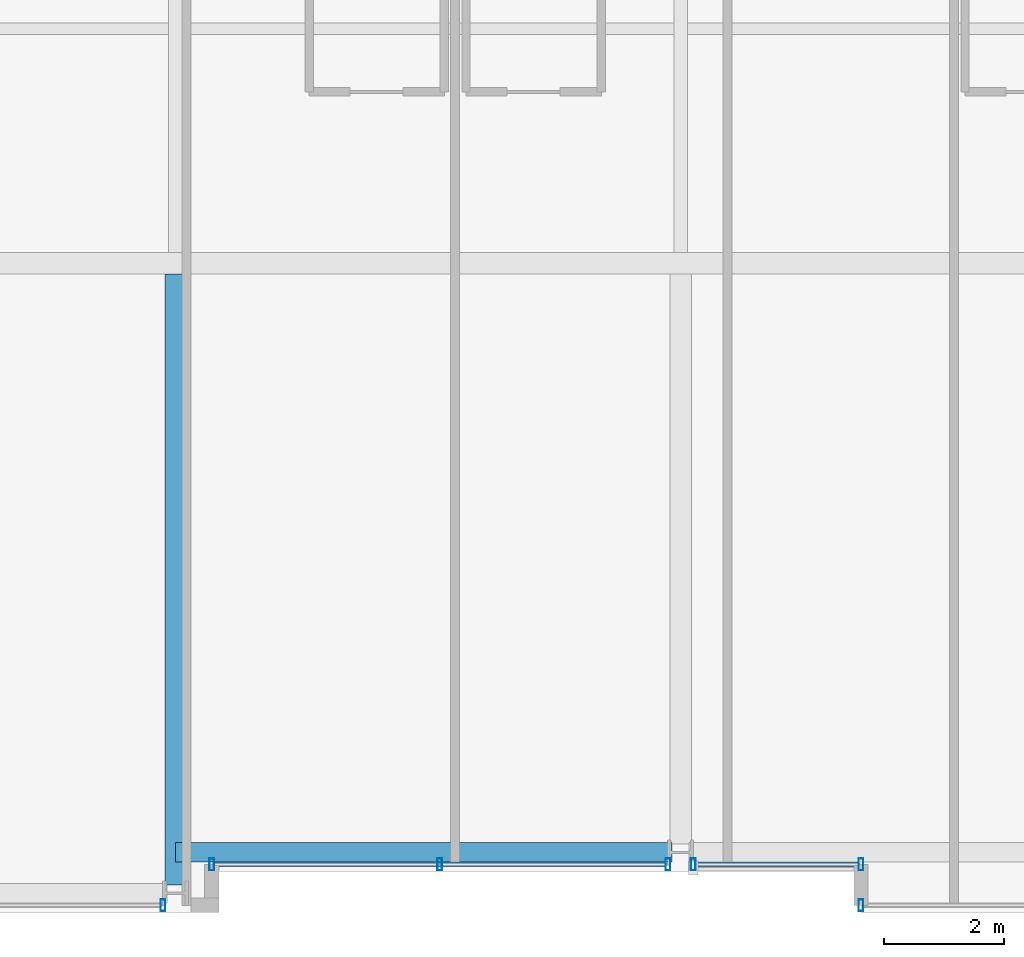
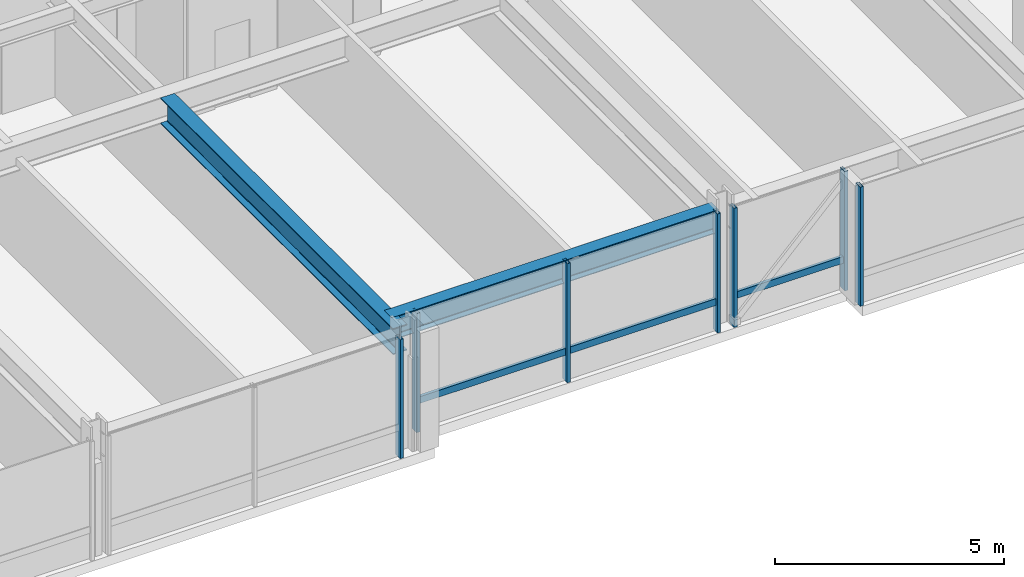
# One storey, part 5 of 35: 9 members, 2 beams, 4 elements without a shape of their own.
"""IFC4 building model written with IfcOpenShell, lengths in metres."""

from ifc_helpers import new_model, si_unit, direction, frame, origin, origin_2d, place, context, subcontext, project, spatial, hollow_rectangle, i_section, extrude, material, layer, layer_set, material_profile, profile_set, type_object, element, aggregate, save


model = new_model("IFC4")

# Units and contexts
model_context = context("Model", 3, precision=1e-05, world=origin(), true_north=direction((0.0, 1.0)))
body_context = subcontext(model_context, "Body", "Model", "MODEL_VIEW")
ifc_project = project(units=[si_unit("LENGTHUNIT", "METRE"), si_unit("AREAUNIT", "SQUARE_METRE"), si_unit("VOLUMEUNIT", "CUBIC_METRE"), si_unit("PLANEANGLEUNIT", "RADIAN"), si_unit("MASSUNIT", "GRAM", prefix="KILO")], contexts=[model_context])

# Site, building, storey
site_placement = place(None, origin())
site = spatial("IfcSite", under=ifc_project, at=site_placement, CompositionType="ELEMENT")
building_placement = place(site_placement, origin())
building = spatial("IfcBuilding", under=site, at=building_placement, Name="Drelvath Grand Hotel", CompositionType="ELEMENT")
storey_placement = place(building_placement, frame((0.0, 0.0, 137.300048828125)))
storey = spatial("IfcBuildingStorey", under=building, at=storey_placement, Name="L35", CompositionType="ELEMENT", Elevation=137.300048828125)

# Curtain wall, member
ifc_material_1 = material(Name="Champagne Bronze Anodised Aluminium Frame", Category="aluminium")
ifc_layer = layer(ifc_material_1, 0.199951171875)
ifc_layer_set = layer_set([ifc_layer], Name="Champagne Bronze Anodised Aluminium Frame")
curtain_wall_type = type_object("IfcCurtainWallType", Name="Stick Curtain Wall CW-03 Champagne Bronze Mid-Rise", PredefinedType="NOTDEFINED", material=ifc_layer_set)
curtain_wall_1_placement = place(storey_placement, origin())
curtain_wall_1 = element("IfcCurtainWall", 1, at=curtain_wall_1_placement, inside=storey, type_object=curtain_wall_type, Name="L35 CW-03 Curtain Wall CW03-L35-SM1", PredefinedType="NOTDEFINED")
ifc_material_profile_1 = material_profile(ifc_material_1, hollow_rectangle(XDim=0.074951171875, YDim=0.179931640625, WallThickness=0.0048828125, at=origin_2d()), Name="HSS180X75X5")
ifc_profile_set_1 = profile_set([ifc_material_profile_1], Name="Champagne Bronze Anodised Aluminium Frame")
member_type_1 = type_object("IfcMemberType", Name="Curtain Wall Horizontal Transom CW-03 HSS180X75X5", PredefinedType="USERDEFINED", material=ifc_profile_set_1)
member_1_placement = place(storey_placement, frame((-0.24951171875, 0.800048828125, 0.794921875), z_axis=(-1.0, 0.0, 0.0), x_axis=(0.0, -1.0, 0.0)))
member_1 = element("IfcMember", 2, at=member_1_placement, type_object=member_type_1, Name="CW03-L35-SM1 Sill Transom", ObjectType="TRANSOM", PredefinedType="USERDEFINED", context=body_context, shape_type="SweptSolid", body=[
    extrude(hollow_rectangle(XDim=0.074951171875, YDim=0.179931640625, WallThickness=0.0048828125, at=origin_2d()), origin(), (0.0, 0.0, 1.0), 7.510498046875),
])

curtain_wall_2_placement = place(storey_placement, origin())
curtain_wall_2 = element("IfcCurtainWall", 3, at=curtain_wall_2_placement, inside=storey, type_object=curtain_wall_type, Name="L35 CW-03 Curtain Wall CW03-L35-SM2", PredefinedType="NOTDEFINED")
member_2_placement = place(storey_placement, frame((2.9599609375, 0.800048828125, 0.794921875), z_axis=(-1.0, 0.0, 0.0), x_axis=(0.0, -1.0, 0.0)))
member_2 = element("IfcMember", 4, at=member_2_placement, type_object=member_type_1, Name="CW03-L35-SM2 Sill Transom", ObjectType="TRANSOM", PredefinedType="USERDEFINED", context=body_context, shape_type="SweptSolid", body=[
    extrude(hollow_rectangle(XDim=0.074951171875, YDim=0.179931640625, WallThickness=0.0048828125, at=origin_2d()), origin(), (0.0, 0.0, 1.0), 2.71044921875),
])

curtain_wall_3_placement = place(storey_placement, origin())
curtain_wall_3 = element("IfcCurtainWall", 5, at=curtain_wall_3_placement, inside=storey, type_object=curtain_wall_type, Name="L35 CW-03 Curtain Wall CW03-L35-SE1", PredefinedType="NOTDEFINED")
ifc_material_profile_2 = material_profile(ifc_material_1, hollow_rectangle(XDim=0.080078125, YDim=0.199951171875, WallThickness=0.0048828125, at=origin_2d()), Name="HSS200X80X5")
ifc_profile_set_2 = profile_set([ifc_material_profile_2], Name="Champagne Bronze Anodised Aluminium Frame")
member_type_2 = type_object("IfcMemberType", Name="Curtain Wall Vertical Mullion CW-03 HSS200X80X5", PredefinedType="MULLION", material=ifc_profile_set_2)
member_3_placement = place(storey_placement, frame((3.0, 0.1201171875, 0.0), z_axis=(0.0, 0.0, 1.0), x_axis=(1.0, 0.0, 0.0)))
member_3 = element("IfcMember", 6, at=member_3_placement, type_object=member_type_2, Name="CW03-L35-SE1 Mullion 2", PredefinedType="MULLION", context=body_context, shape_type="SweptSolid", body=[
    extrude(hollow_rectangle(XDim=0.080078125, YDim=0.199951171875, WallThickness=0.0048828125, at=origin_2d()), origin(), (0.0, 0.0, 1.0), 3.179931640625),
])
aggregate(curtain_wall_3, [member_3])

# Member
member_4_placement = place(storey_placement, frame((-0.20947265625, 0.800048828125, 0.0), z_axis=(0.0, 0.0, 1.0), x_axis=(1.0, 0.0, 0.0)))
member_4 = element("IfcMember", 7, at=member_4_placement, type_object=member_type_2, Name="CW03-L35-SM1 Mullion 1", PredefinedType="MULLION", context=body_context, shape_type="SweptSolid", body=[
    extrude(hollow_rectangle(XDim=0.080078125, YDim=0.199951171875, WallThickness=0.0048828125, at=origin_2d()), origin(), (0.0, 0.0, 1.0), 3.179931640625),
])

member_5_placement = place(storey_placement, frame((-4.004638671875, 0.800048828125, 0.0), z_axis=(0.0, 0.0, 1.0), x_axis=(1.0, 0.0, 0.0)))
member_5 = element("IfcMember", 8, at=member_5_placement, type_object=member_type_2, Name="CW03-L35-SM1 Mullion 2", PredefinedType="MULLION", context=body_context, shape_type="SweptSolid", body=[
    extrude(hollow_rectangle(XDim=0.080078125, YDim=0.199951171875, WallThickness=0.0048828125, at=origin_2d()), origin(), (0.0, 0.0, 1.0), 3.179931640625),
])

member_6_placement = place(storey_placement, frame((-7.800048828125, 0.800048828125, 0.0), z_axis=(0.0, 0.0, 1.0), x_axis=(1.0, 0.0, 0.0)))
member_6 = element("IfcMember", 9, at=member_6_placement, type_object=member_type_2, Name="CW03-L35-SM1 Mullion 3", PredefinedType="MULLION", context=body_context, shape_type="SweptSolid", body=[
    extrude(hollow_rectangle(XDim=0.080078125, YDim=0.199951171875, WallThickness=0.0048828125, at=origin_2d()), origin(), (0.0, 0.0, 1.0), 3.179931640625),
])

aggregate(curtain_wall_1, [member_4, member_5, member_6, member_1])

member_7_placement = place(storey_placement, frame((3.0, 0.800048828125, 0.0), z_axis=(0.0, 0.0, 1.0), x_axis=(1.0, 0.0, 0.0)))
member_7 = element("IfcMember", 10, at=member_7_placement, type_object=member_type_2, Name="CW03-L35-SM2 Mullion 1", PredefinedType="MULLION", context=body_context, shape_type="SweptSolid", body=[
    extrude(hollow_rectangle(XDim=0.080078125, YDim=0.199951171875, WallThickness=0.0048828125, at=origin_2d()), origin(), (0.0, 0.0, 1.0), 3.179931640625),
])

member_8_placement = place(storey_placement, frame((0.20947265625, 0.800048828125, 0.0), z_axis=(0.0, 0.0, 1.0), x_axis=(1.0, 0.0, 0.0)))
member_8 = element("IfcMember", 11, at=member_8_placement, type_object=member_type_2, Name="CW03-L35-SM2 Mullion 2", PredefinedType="MULLION", context=body_context, shape_type="SweptSolid", body=[
    extrude(hollow_rectangle(XDim=0.080078125, YDim=0.199951171875, WallThickness=0.0048828125, at=origin_2d()), origin(), (0.0, 0.0, 1.0), 3.179931640625),
])

aggregate(curtain_wall_2, [member_7, member_8, member_2])

# Curtain wall, member
curtain_wall_4_placement = place(storey_placement, origin())
curtain_wall_4 = element("IfcCurtainWall", 12, at=curtain_wall_4_placement, inside=storey, type_object=curtain_wall_type, Name="L35 CW-03 Curtain Wall CW03-L35-SW2", PredefinedType="NOTDEFINED")
member_9_placement = place(storey_placement, frame((-8.609375, 0.1201171875, 0.0), z_axis=(0.0, 0.0, 1.0), x_axis=(1.0, 0.0, 0.0)))
member_9 = element("IfcMember", 13, at=member_9_placement, type_object=member_type_2, Name="CW03-L35-SW2 Mullion 1", PredefinedType="MULLION", context=body_context, shape_type="SweptSolid", body=[
    extrude(hollow_rectangle(XDim=0.080078125, YDim=0.199951171875, WallThickness=0.0048828125, at=origin_2d()), origin(), (0.0, 0.0, 1.0), 3.179931640625),
])
aggregate(curtain_wall_4, [member_9])

# Beams
ifc_material_2 = material(Name="Steel ASTM A992 Gr 50", Category="steel")
ifc_material_profile_3 = material_profile(ifc_material_2, i_section(OverallWidth=0.323974609375, OverallDepth=0.611083984375, WebThickness=0.0126953125, FlangeThickness=0.01904296875, FilletRadius=0.02197265625, at=origin_2d()), Name="W24X104")
ifc_profile_set_3 = profile_set([ifc_material_profile_3], Name="Steel ASTM A992 Gr 50")
beam_type_1 = type_object("IfcBeamType", Name="Perimeter Spandrel Beam W24X104", PredefinedType="SPANDREL", material=ifc_profile_set_3)
beam_1_placement = place(storey_placement, frame((-8.39990234375, 1.0, 2.874267578125), z_axis=(1.0, 0.0, 0.0), x_axis=(0.0, 1.0, 0.0)))
element("IfcBeam", 14, at=beam_1_placement, inside=storey, type_object=beam_type_1, Name="L35 Spandrel South Mid W", PredefinedType="SPANDREL", context=body_context, shape_type="SweptSolid", body=[
    extrude(i_section(OverallWidth=0.323974609375, OverallDepth=0.611083984375, WebThickness=0.0126953125, FlangeThickness=0.01904296875, FilletRadius=0.02197265625, at=origin_2d()), origin(), (0.0, 0.0, 1.0), 8.260009765625),
])
ifc_material_profile_4 = material_profile(ifc_material_2, i_section(OverallWidth=0.354736328125, OverallDepth=0.695556640625, WebThickness=0.015380859375, FlangeThickness=0.025146484375, FilletRadius=0.02392578125, at=origin_2d()), Name="W27X146")
ifc_profile_set_4 = profile_set([ifc_material_profile_4], Name="Steel ASTM A992 Gr 50")
beam_type_2 = type_object("IfcBeamType", Name="Primary Floor Girder W27X146", PredefinedType="BEAM", material=ifc_profile_set_4)
beam_2_placement = place(storey_placement, frame((-8.39990234375, 0.4599609375, 2.83203125), z_axis=(0.0, 1.0, 0.0), x_axis=(-1.0, 0.0, 0.0)))
element("IfcBeam", 15, at=beam_2_placement, inside=storey, type_object=beam_type_2, Name="L35 South Wing Girder 4", PredefinedType="BEAM", context=body_context, shape_type="SweptSolid", body=[
    extrude(i_section(OverallWidth=0.354736328125, OverallDepth=0.695556640625, WebThickness=0.015380859375, FlangeThickness=0.025146484375, FilletRadius=0.02392578125, at=origin_2d()), origin(), (0.0, 0.0, 1.0), 10.16259765625),
])

save(model, "model.ifc")
